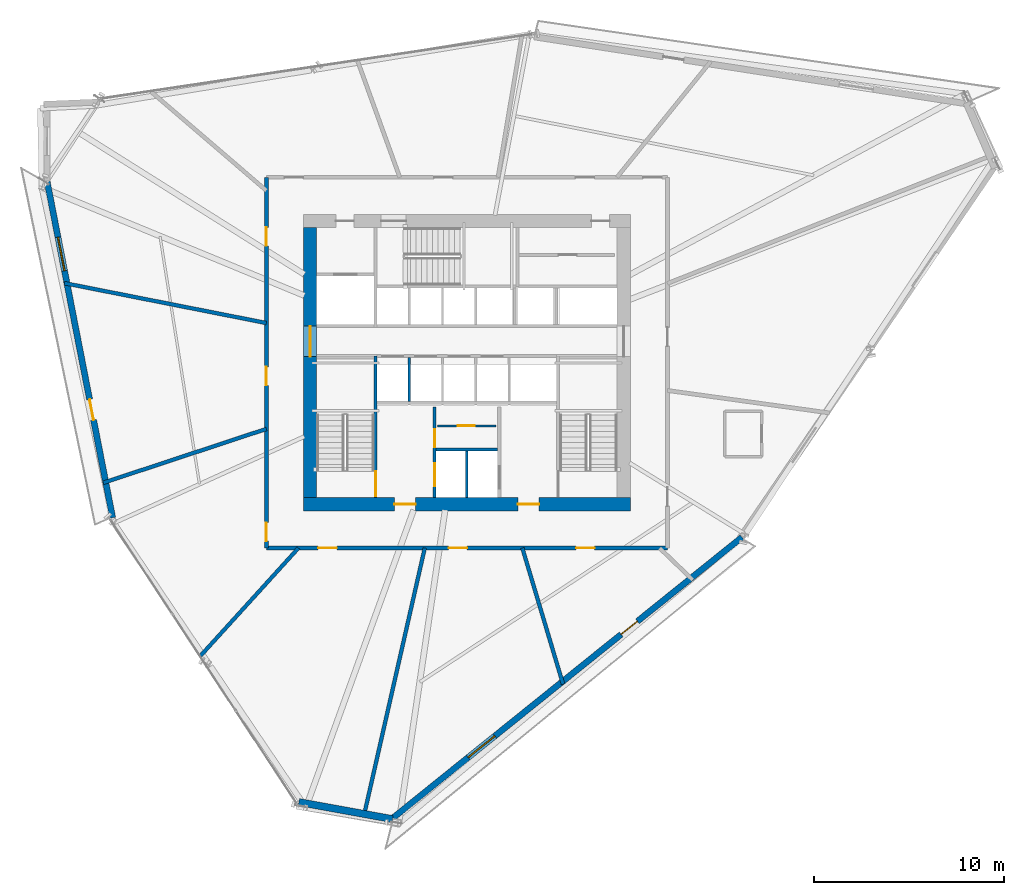
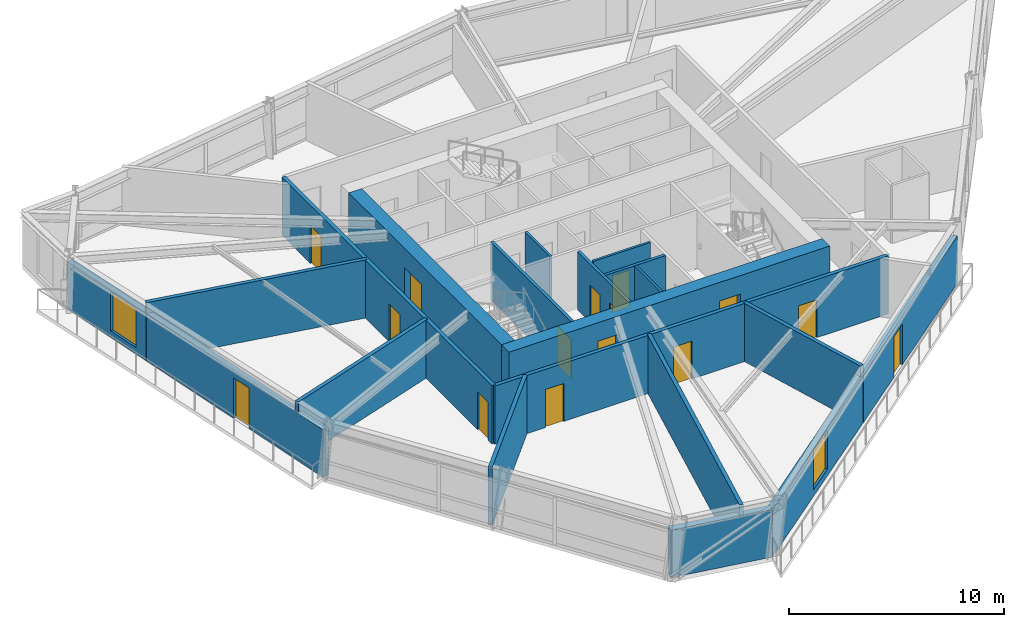
# One storey, part 9 of 14: 18 walls, 15 doors, 2 windows, 17 openings.
"""IFC4 building model written with IfcOpenShell, lengths in metres."""

from ifc_helpers import new_model, si_unit, direction, frame, frame_2d, origin, place, context, subcontext, project, spatial, rectangle, extrude, source, transform, mapped, material, layer, layer_set, type_object, type_shapes, element, fill, save


model = new_model("IFC4")

# Units and contexts
model_context = context("Model", 3, precision=1e-05, world=origin(), true_north=direction((0.0, 1.0)))
body_context = subcontext(model_context, "Body", "Model", "MODEL_VIEW")
ifc_project = project(units=[si_unit("LENGTHUNIT", "METRE"), si_unit("AREAUNIT", "SQUARE_METRE"), si_unit("VOLUMEUNIT", "CUBIC_METRE"), si_unit("PLANEANGLEUNIT", "RADIAN"), si_unit("MASSUNIT", "GRAM", prefix="KILO")], contexts=[model_context])

# Site, building, storey
site_placement = place(None, origin())
site = spatial("IfcSite", under=ifc_project, at=site_placement, CompositionType="ELEMENT")
building_placement = place(site_placement, origin())
building = spatial("IfcBuilding", under=site, at=building_placement, Name="Olszyna Solenne Hotel", CompositionType="ELEMENT")
storey_placement = place(building_placement, frame((0.0, 0.0, 130.550048828125)))
storey = spatial("IfcBuildingStorey", under=building, at=storey_placement, Name="L34", CompositionType="ELEMENT", Elevation=130.550048828125)

# Wall, openings, doors
ifc_material_1 = material(Name="Concrete C60/75", Category="concrete")
ifc_layer_1 = layer(ifc_material_1, 0.699951171875, Name="Concrete C60/75")
ifc_layer_set_1 = layer_set([ifc_layer_1], Name="Concrete C60/75")
wall_type_1 = type_object("IfcWallType", Name="WL-CR700", PredefinedType="SHEAR", material=ifc_layer_set_1)
wall_1_placement = place(storey_placement, frame((46.60009765625, 19.14990234375, 0.0), z_axis=(0.0, 0.0, 1.0), x_axis=(-1.0, 0.0, 0.0)))
wall_1 = element("IfcWall", 1, at=wall_1_placement, inside=storey, type_object=wall_type_1, Name="Core shear wall WL-CR700 CRW-L34-S", PredefinedType="SHEAR", context=body_context, shape_type="SweptSolid", body=[
    extrude(rectangle(XDim=17.2001953125, YDim=0.699951171875, at=frame_2d((8.60009765625, 0.0))), origin(), (0.0, 0.0, 1.0), 3.300048828125),
])
opening_1_placement = place(wall_1_placement, frame((4.800048828125, 0.0, 0.0)))
opening_1 = element("IfcOpeningElement", 2, at=opening_1_placement, cuts=wall_1, Name="Opening FL-L34-1", PredefinedType="OPENING", context=body_context, shape_type="SweptSolid", body=[
    extrude(rectangle(XDim=1.1201171875, YDim=2.25, at=frame_2d((0.56005859375, 1.125))), frame((0.0, 0.35986328125, 0.0), z_axis=(0.0, -1.0, 0.0), x_axis=(1.0, 0.0, 0.0)), (0.0, 0.0, 1.0), 0.719970703125),
])
opening_2_placement = place(wall_1_placement, frame((11.300048828125, 0.0, 0.0)))
opening_2 = element("IfcOpeningElement", 3, at=opening_2_placement, cuts=wall_1, Name="Opening FL-L34-2", PredefinedType="OPENING", context=body_context, shape_type="SweptSolid", body=[
    extrude(rectangle(XDim=1.1201171875, YDim=2.25, at=frame_2d((0.56005859375, 1.125))), frame((0.0, 0.35986328125, 0.0), z_axis=(0.0, -1.0, 0.0), x_axis=(1.0, 0.0, 0.0)), (0.0, 0.0, 1.0), 0.719970703125),
])
ifc_material_2 = material(Name="Steel S355J2", Category="steel")
door_type_1 = type_object("IfcDoorType", Name="DR-FL1", OperationType="NOTDEFINED", PredefinedType="DOOR", material=ifc_material_2)
shared_shape_1 = source(origin(), body_context, "Body", "SweptSolid", [
    extrude(rectangle(XDim=1.1201171875, YDim=2.25, at=frame_2d((0.56005859375, 1.125))), frame((0.0, 0.02490234375, 0.0), z_axis=(0.0, -1.0, 0.0), x_axis=(1.0, 0.0, 0.0)), (0.0, 0.0, 1.0), 0.050048828125),
])
type_shapes(door_type_1, [shared_shape_1])
door_1_placement = place(opening_1_placement, origin())
door_1 = element("IfcDoor", 4, at=door_1_placement, inside=storey, type_object=door_type_1, Name="Firefighting lift lobby smoke door FL-L34-1", OperationType="SINGLE_SWING_LEFT", OverallHeight=2.25, OverallWidth=1.1201171875, PredefinedType="DOOR", context=body_context, shape_type="MappedRepresentation", body=[
    mapped(shared_shape_1, transform((0.0, 0.0, 0.0), x_axis=(1.0, 0.0, 0.0), y_axis=(0.0, 1.0, 0.0), z_axis=(0.0, 0.0, 1.0), scale=1.0)),
])
fill(opening_1, door_1)
door_2_placement = place(opening_2_placement, origin())
door_2 = element("IfcDoor", 5, at=door_2_placement, inside=storey, type_object=door_type_1, Name="Firefighting lift lobby smoke door FL-L34-2", OperationType="SINGLE_SWING_RIGHT", OverallHeight=2.25, OverallWidth=1.1201171875, PredefinedType="DOOR", context=body_context, shape_type="MappedRepresentation", body=[
    mapped(shared_shape_1, transform((0.0, 0.0, 0.0), x_axis=(1.0, 0.0, 0.0), y_axis=(0.0, 1.0, 0.0), z_axis=(0.0, 0.0, 1.0), scale=1.0)),
])
fill(opening_2, door_2)

# Wall, opening, door
wall_2_placement = place(storey_placement, frame((29.75, 19.5, 0.0), z_axis=(0.0, 0.0, 1.0), x_axis=(0.0, 1.0, 0.0)))
wall_2 = element("IfcWall", 6, at=wall_2_placement, inside=storey, type_object=wall_type_1, Name="Core shear wall WL-CR700 CRW-L34-W", PredefinedType="SHEAR", context=body_context, shape_type="SweptSolid", body=[
    extrude(rectangle(XDim=14.199951171875, YDim=0.699951171875, at=frame_2d((7.10009765625, 0.0))), origin(), (0.0, 0.0, 1.0), 3.300048828125),
])
opening_3_placement = place(wall_2_placement, frame((7.419921875, 0.0, 0.0)))
opening_3 = element("IfcOpeningElement", 7, at=opening_3_placement, cuts=wall_2, Name="Opening LHD-L34-W", PredefinedType="OPENING", context=body_context, shape_type="SweptSolid", body=[
    extrude(rectangle(XDim=1.60009765625, YDim=2.199951171875, at=frame_2d((0.800048828125, 1.10009765625))), frame((0.0, 0.35986328125, 0.0), z_axis=(0.0, -1.0, 0.0), x_axis=(1.0, 0.0, 0.0)), (0.0, 0.0, 1.0), 0.719970703125),
])
ifc_material_3 = material(Name="Timber hardwood", Category="wood")
door_type_2 = type_object("IfcDoorType", Name="DR-CR1", OperationType="DOUBLE_DOOR_SINGLE_SWING", PredefinedType="DOOR", material=ifc_material_3)
shared_shape_2 = source(origin(), body_context, "Body", "SweptSolid", [
    extrude(rectangle(XDim=1.60009765625, YDim=2.199951171875, at=frame_2d((0.800048828125, 1.10009765625))), frame((0.0, 0.02490234375, 0.0), z_axis=(0.0, -1.0, 0.0), x_axis=(1.0, 0.0, 0.0)), (0.0, 0.0, 1.0), 0.050048828125),
])
type_shapes(door_type_2, [shared_shape_2])
door_3_placement = place(opening_3_placement, origin())
door_3 = element("IfcDoor", 8, at=door_3_placement, inside=storey, type_object=door_type_2, Name="Passenger lift lobby West fire door LHD-L34-W", OperationType="DOUBLE_DOOR_SINGLE_SWING", OverallHeight=2.199951171875, OverallWidth=1.60009765625, PredefinedType="DOOR", context=body_context, shape_type="MappedRepresentation", body=[
    mapped(shared_shape_2, transform((0.0, 0.0, 0.0), x_axis=(1.0, 0.0, 0.0), y_axis=(0.0, 1.0, 0.0), z_axis=(0.0, 0.0, 1.0), scale=1.0)),
])
fill(opening_3, door_3)

# Wall, openings, door, window
ifc_material_4 = material(Name="Precast concrete C45/55", Category="concrete")
ifc_layer_2 = layer(ifc_material_4, 0.320068359375, Name="Precast concrete C45/55")
ifc_layer_set_2 = layer_set([ifc_layer_2], Name="Precast concrete C45/55")
wall_type_2 = type_object("IfcWallType", Name="WL-EX320", PredefinedType="SOLIDWALL", material=ifc_layer_set_2)
wall_3_placement = place(storey_placement, frame((52.467041015625, 17.415283203125, 0.0), z_axis=(0.0, 0.0, 1.0), x_axis=(-0.779274216226, -0.626683090506, 0.0)))
wall_3 = element("IfcWall", 9, at=wall_3_placement, inside=storey, type_object=wall_type_2, Name="Exterior terracotta-precast frame wall WL-EX320 EW-L34-01", PredefinedType="SOLIDWALL", context=body_context, shape_type="SweptSolid", body=[
    extrude(rectangle(XDim=23.7578125, YDim=0.320068359375, at=frame_2d((11.87890625, 0.0))), origin(), (0.0, 0.0, 1.0), 2.69189453125),
])
opening_4_placement = place(wall_3_placement, frame((7.052978515625, 0.0, 0.0)))
opening_4 = element("IfcOpeningElement", 10, at=opening_4_placement, cuts=wall_3, Name="Opening LDG-L34-3", PredefinedType="OPENING", context=body_context, shape_type="SweptSolid", body=[
    extrude(rectangle(XDim=1.10009765625, YDim=2.300048828125, at=frame_2d((0.550048828125, 1.14990234375))), frame((0.0, 0.169921875, 0.0), z_axis=(0.0, -1.0, 0.0), x_axis=(1.0, 0.0, 0.0)), (0.0, 0.0, 1.0), 0.340087890625),
])
opening_5_placement = place(wall_3_placement, frame((16.680908203125, 0.0, 0.3720703125)))
opening_5 = element("IfcOpeningElement", 11, at=opening_5_placement, cuts=wall_3, Name="Opening WN-L34-196", PredefinedType="OPENING", context=body_context, shape_type="SweptSolid", body=[
    extrude(rectangle(XDim=1.800048828125, YDim=2.199951171875, at=frame_2d((0.89990234375, 1.10009765625))), frame((0.0, 0.169921875, 0.0), z_axis=(0.0, -1.0, 0.0), x_axis=(1.0, 0.0, 0.0)), (0.0, 0.0, 1.0), 0.340087890625),
])
ifc_material_5 = material(Name="Anodised bronze aluminium", Category="aluminium")
door_type_3 = type_object("IfcDoorType", Name="DR-LG1", OperationType="NOTDEFINED", PredefinedType="DOOR", material=ifc_material_5)
shared_shape_3 = source(origin(), body_context, "Body", "SweptSolid", [
    extrude(rectangle(XDim=1.10009765625, YDim=2.300048828125, at=frame_2d((0.550048828125, 1.14990234375))), frame((0.0, 0.02490234375, 0.0), z_axis=(0.0, -1.0, 0.0), x_axis=(1.0, 0.0, 0.0)), (0.0, 0.0, 1.0), 0.050048828125),
])
type_shapes(door_type_3, [shared_shape_3])
door_4_placement = place(opening_4_placement, origin())
door_4 = element("IfcDoor", 12, at=door_4_placement, inside=storey, type_object=door_type_3, Name="Exterior loggia balcony door DR-LG1 LDG-L34-3", OperationType="SINGLE_SWING_RIGHT", OverallHeight=2.300048828125, OverallWidth=1.10009765625, PredefinedType="DOOR", context=body_context, shape_type="MappedRepresentation", body=[
    mapped(shared_shape_3, transform((0.0, 0.0, 0.0), x_axis=(1.0, 0.0, 0.0), y_axis=(0.0, 1.0, 0.0), z_axis=(0.0, 0.0, 1.0), scale=1.0)),
])
fill(opening_4, door_4)
ifc_material_6 = material(Name="Low-E triple glazing", Category="glass")
window_type = type_object("IfcWindowType", Name="WN-HT1", PartitioningType="SINGLE_PANEL", PredefinedType="WINDOW", material=ifc_material_6)
shared_shape_4 = source(origin(), body_context, "Body", "SweptSolid", [
    extrude(rectangle(XDim=1.800048828125, YDim=2.199951171875, at=frame_2d((0.89990234375, 1.10009765625))), frame((0.0, 0.030029296875, 0.0), z_axis=(0.0, -1.0, 0.0), x_axis=(1.0, 0.0, 0.0)), (0.0, 0.0, 1.0), 0.06005859375),
])
type_shapes(window_type, [shared_shape_4])
window_1_placement = place(opening_5_placement, origin())
window_1 = element("IfcWindow", 13, at=window_1_placement, inside=storey, type_object=window_type, Name="Loggia room window WN-HT1 WN-L34-196", OverallHeight=2.199951171875, OverallWidth=1.800048828125, PartitioningType="SINGLE_PANEL", PredefinedType="WINDOW", context=body_context, shape_type="MappedRepresentation", body=[
    mapped(shared_shape_4, transform((0.0, 0.0, 0.0), x_axis=(1.0, 0.0, 0.0), y_axis=(0.0, 1.0, 0.0), z_axis=(0.0, 0.0, 1.0), scale=1.0)),
])
fill(opening_5, window_1)

wall_4_placement = place(storey_placement, frame((19.36328125, 18.4443359375, 0.0), z_axis=(0.0, 0.0, 1.0), x_axis=(-0.191260679824, 0.98153927703, 0.0)))
wall_4 = element("IfcWall", 14, at=wall_4_placement, inside=storey, type_object=wall_type_2, Name="Exterior terracotta-precast frame wall WL-EX320 EW-L34-04", PredefinedType="SOLIDWALL", context=body_context, shape_type="SweptSolid", body=[
    extrude(rectangle(XDim=18.081298828125, YDim=0.320068359375, at=frame_2d((9.04052734375, 0.0))), origin(), (0.0, 0.0, 1.0), 2.69189453125),
])
opening_6_placement = place(wall_4_placement, frame((5.236083984375, 0.0, 0.0)))
opening_6 = element("IfcOpeningElement", 15, at=opening_6_placement, cuts=wall_4, Name="Opening LDG-L34-2", PredefinedType="OPENING", context=body_context, shape_type="SweptSolid", body=[
    extrude(rectangle(XDim=1.10009765625, YDim=2.300048828125, at=frame_2d((0.550048828125, 1.14990234375))), frame((0.0, 0.169921875, 0.0), z_axis=(0.0, -1.0, 0.0), x_axis=(1.0, 0.0, 0.0)), (0.0, 0.0, 1.0), 0.340087890625),
])
opening_7_placement = place(wall_4_placement, frame((13.22998046875, 0.0, 0.3720703125)))
opening_7 = element("IfcOpeningElement", 16, at=opening_7_placement, cuts=wall_4, Name="Opening WN-L34-197", PredefinedType="OPENING", context=body_context, shape_type="SweptSolid", body=[
    extrude(rectangle(XDim=1.800048828125, YDim=2.199951171875, at=frame_2d((0.89990234375, 1.10009765625))), frame((0.0, 0.169921875, 0.0), z_axis=(0.0, -1.0, 0.0), x_axis=(1.0, 0.0, 0.0)), (0.0, 0.0, 1.0), 0.340087890625),
])
door_5_placement = place(opening_6_placement, origin())
door_5 = element("IfcDoor", 17, at=door_5_placement, inside=storey, type_object=door_type_3, Name="Exterior loggia balcony door DR-LG1 LDG-L34-2", OperationType="SINGLE_SWING_LEFT", OverallHeight=2.300048828125, OverallWidth=1.10009765625, PredefinedType="DOOR", context=body_context, shape_type="MappedRepresentation", body=[
    mapped(shared_shape_3, transform((0.0, 0.0, 0.0), x_axis=(1.0, 0.0, 0.0), y_axis=(0.0, 1.0, 0.0), z_axis=(0.0, 0.0, 1.0), scale=1.0)),
])
fill(opening_6, door_5)
window_2_placement = place(opening_7_placement, origin())
window_2 = element("IfcWindow", 18, at=window_2_placement, inside=storey, type_object=window_type, Name="Loggia room window WN-HT1 WN-L34-197", OverallHeight=2.199951171875, OverallWidth=1.800048828125, PartitioningType="SINGLE_PANEL", PredefinedType="WINDOW", context=body_context, shape_type="MappedRepresentation", body=[
    mapped(shared_shape_4, transform((0.0, 0.0, 0.0), x_axis=(1.0, 0.0, 0.0), y_axis=(0.0, 1.0, 0.0), z_axis=(0.0, 0.0, 1.0), scale=1.0)),
])
fill(opening_7, window_2)

# Walls
ifc_material_7 = material(Name="Terracotta cladding on precast concrete C45/55", Category="masonry")
ifc_layer_3 = layer(ifc_material_7, 0.3798828125, Name="Terracotta cladding on precast concrete C45/55")
ifc_layer_set_3 = layer_set([ifc_layer_3], Name="Terracotta cladding on precast concrete C45/55")
wall_type_3 = type_object("IfcWallType", Name="WL-EX380", PredefinedType="SOLIDWALL", material=ifc_layer_set_3)
wall_5_placement = place(storey_placement, frame((34.08740234375, 2.5888671875, 0.0), z_axis=(0.0, 0.0, 1.0), x_axis=(-0.983886288639, 0.178795332793, 0.0)))
element("IfcWall", 19, at=wall_5_placement, inside=storey, type_object=wall_type_3, Name="Exterior terracotta-precast frame wall WL-EX380 EW-L34-02", PredefinedType="SOLIDWALL", context=body_context, shape_type="SweptSolid", body=[
    extrude(rectangle(XDim=5.007080078125, YDim=0.3798828125, at=frame_2d((2.50341796875, 0.0))), origin(), (0.0, 0.0, 1.0), 2.69189453125),
])
ifc_material_8 = material(Name="Acoustic gypsum partition", Category="gypsum")
ifc_layer_4 = layer(ifc_material_8, 0.125, Name="Acoustic gypsum partition")
ifc_layer_set_4 = layer_set([ifc_layer_4], Name="Acoustic gypsum partition")
wall_type_4 = type_object("IfcWallType", Name="WL-PT125", PredefinedType="PARTITIONING", material=ifc_layer_set_4)
wall_6_placement = place(storey_placement, frame((38.0, 19.5, 0.0), z_axis=(0.0, 0.0, 1.0), x_axis=(0.0, 1.0, 0.0)))
element("IfcWall", 20, at=wall_6_placement, inside=storey, type_object=wall_type_4, Name="Core shaft compartment wall CW-L34-FFM", PredefinedType="PARTITIONING", context=body_context, shape_type="SweptSolid", body=[
    extrude(rectangle(XDim=2.4599609375, YDim=0.125, at=frame_2d((1.22998046875, 0.0))), origin(), (0.0, 0.0, 1.0), 3.300048828125),
])

# Wall, opening, door
wall_7_placement = place(storey_placement, frame((36.4599609375, 23.27001953125, 0.0), z_axis=(0.0, 0.0, 1.0), x_axis=(1.0, 0.0, 0.0)))
wall_7 = element("IfcWall", 21, at=wall_7_placement, inside=storey, type_object=wall_type_4, Name="Core shaft compartment wall CW-L34-SC2", PredefinedType="PARTITIONING", context=body_context, shape_type="SweptSolid", body=[
    extrude(rectangle(XDim=3.080078125, YDim=0.125, at=frame_2d((1.5400390625, 0.0))), origin(), (0.0, 0.0, 1.0), 3.300048828125),
])
opening_8_placement = place(wall_7_placement, frame((1.050048828125, 0.0, 0.0)))
opening_8 = element("IfcOpeningElement", 22, at=opening_8_placement, cuts=wall_7, Name="Opening SVD-L34-SC2", PredefinedType="OPENING", context=body_context, shape_type="SweptSolid", body=[
    extrude(rectangle(XDim=0.89990234375, YDim=2.10009765625, at=frame_2d((0.449951171875, 1.050048828125))), frame((0.0, 0.072509765625, 0.0), z_axis=(0.0, -1.0, 0.0), x_axis=(1.0, 0.0, 0.0)), (0.0, 0.0, 1.0), 0.14501953125),
])
door_type_4 = type_object("IfcDoorType", Name="DR-WC1", OperationType="NOTDEFINED", PredefinedType="DOOR", material=ifc_material_3)
shared_shape_5 = source(origin(), body_context, "Body", "SweptSolid", [
    extrude(rectangle(XDim=0.89990234375, YDim=2.10009765625, at=frame_2d((0.449951171875, 1.050048828125))), frame((0.0, 0.02490234375, 0.0), z_axis=(0.0, -1.0, 0.0), x_axis=(1.0, 0.0, 0.0)), (0.0, 0.0, 1.0), 0.050048828125),
])
type_shapes(door_type_4, [shared_shape_5])
door_6_placement = place(opening_8_placement, origin())
door_6 = element("IfcDoor", 23, at=door_6_placement, inside=storey, type_object=door_type_4, Name="Butler pantry door SVD-L34-SC2", OperationType="SINGLE_SWING_RIGHT", OverallHeight=2.10009765625, OverallWidth=0.89990234375, PredefinedType="DOOR", context=body_context, shape_type="MappedRepresentation", body=[
    mapped(shared_shape_5, transform((0.0, 0.0, 0.0), x_axis=(1.0, 0.0, 0.0), y_axis=(0.0, 1.0, 0.0), z_axis=(0.0, 0.0, 1.0), scale=1.0)),
])
fill(opening_8, door_6)

# Wall
wall_8_placement = place(storey_placement, frame((34.965087890625, 24.56005859375, 0.0), z_axis=(0.0, 0.0, 1.0), x_axis=(0.0, 1.0, 0.0)))
element("IfcWall", 24, at=wall_8_placement, inside=storey, type_object=wall_type_4, Name="Core shaft compartment wall CW-L34-DIVS349", PredefinedType="PARTITIONING", context=body_context, shape_type="SweptSolid", body=[
    extrude(rectangle(XDim=2.31005859375, YDim=0.125, at=frame_2d((1.155029296875, 0.0))), origin(), (0.0, 0.0, 1.0), 3.300048828125),
])

# Wall, opening, door
ifc_layer_5 = layer(ifc_material_8, 0.159912109375, Name="Acoustic gypsum partition")
ifc_layer_set_5 = layer_set([ifc_layer_5], Name="Acoustic gypsum partition")
wall_type_5 = type_object("IfcWallType", Name="WL-PT160", PredefinedType="PARTITIONING", material=ifc_layer_set_5)
wall_9_placement = place(storey_placement, frame((33.199951171875, 19.5, 0.0), z_axis=(0.0, 0.0, 1.0), x_axis=(0.0, 1.0, 0.0)))
wall_9 = element("IfcWall", 25, at=wall_9_placement, inside=storey, type_object=wall_type_5, Name="Core shaft compartment wall CW-L34-ST1E", PredefinedType="PARTITIONING", context=body_context, shape_type="SweptSolid", body=[
    extrude(rectangle(XDim=7.4599609375, YDim=0.159912109375, at=frame_2d((3.72998046875, 0.0))), origin(), (0.0, 0.0, 1.0), 3.300048828125),
])
opening_9_placement = place(wall_9_placement, frame((0.080078125, 0.0, 0.0)))
opening_9 = element("IfcOpeningElement", 26, at=opening_9_placement, cuts=wall_9, Name="Opening STD-L34-01", PredefinedType="OPENING", context=body_context, shape_type="SweptSolid", body=[
    extrude(rectangle(XDim=1.320068359375, YDim=2.199951171875, at=frame_2d((0.66015625, 1.10009765625))), frame((0.0, 0.08984375, 0.0), z_axis=(0.0, -1.0, 0.0), x_axis=(1.0, 0.0, 0.0)), (0.0, 0.0, 1.0), 0.179931640625),
])
door_type_5 = type_object("IfcDoorType", Name="DR-ST1", OperationType="NOTDEFINED", PredefinedType="DOOR", material=ifc_material_2)
shared_shape_6 = source(origin(), body_context, "Body", "SweptSolid", [
    extrude(rectangle(XDim=1.320068359375, YDim=2.199951171875, at=frame_2d((0.66015625, 1.10009765625))), frame((0.0, 0.02490234375, 0.0), z_axis=(0.0, -1.0, 0.0), x_axis=(1.0, 0.0, 0.0)), (0.0, 0.0, 1.0), 0.050048828125),
])
type_shapes(door_type_5, [shared_shape_6])
door_7_placement = place(opening_9_placement, origin())
door_7 = element("IfcDoor", 27, at=door_7_placement, inside=storey, type_object=door_type_5, Name="Pressurised exit stair ST1 fire door STD-L34-01", OperationType="SINGLE_SWING_LEFT", OverallHeight=2.199951171875, OverallWidth=1.320068359375, PredefinedType="DOOR", context=body_context, shape_type="MappedRepresentation", body=[
    mapped(shared_shape_6, transform((0.0, 0.0, 0.0), x_axis=(1.0, 0.0, 0.0), y_axis=(0.0, 1.0, 0.0), z_axis=(0.0, 0.0, 1.0), scale=1.0)),
])
fill(opening_9, door_7)

# Wall, openings, doors
wall_10_placement = place(storey_placement, frame((36.300048828125, 19.5, 0.0), z_axis=(0.0, 0.0, 1.0), x_axis=(0.0, 1.0, 0.0)))
wall_10 = element("IfcWall", 28, at=wall_10_placement, inside=storey, type_object=wall_type_5, Name="Core shaft compartment wall CW-L34-FF1W", PredefinedType="PARTITIONING", context=body_context, shape_type="SweptSolid", body=[
    extrude(rectangle(XDim=4.780029296875, YDim=0.159912109375, at=frame_2d((2.39013671875, 0.0))), origin(), (0.0, 0.0, 1.0), 3.300048828125),
])
opening_10_placement = place(wall_10_placement, frame((0.60009765625, 0.0, 0.0)))
opening_10 = element("IfcOpeningElement", 29, at=opening_10_placement, cuts=wall_10, Name="Opening LD-L34-FF1", PredefinedType="OPENING", context=body_context, shape_type="SweptSolid", body=[
    extrude(rectangle(XDim=1.199951171875, YDim=2.199951171875, at=frame_2d((0.60009765625, 1.10009765625))), frame((0.0, 0.08984375, 0.0), z_axis=(0.0, -1.0, 0.0), x_axis=(1.0, 0.0, 0.0)), (0.0, 0.0, 1.0), 0.179931640625),
])
opening_11_placement = place(wall_10_placement, frame((2.64990234375, 0.0, 0.0)))
opening_11 = element("IfcOpeningElement", 30, at=opening_11_placement, cuts=wall_10, Name="Opening SVD-L34-SMK", PredefinedType="OPENING", context=body_context, shape_type="SweptSolid", body=[
    extrude(rectangle(XDim=0.949951171875, YDim=2.10009765625, at=frame_2d((0.47509765625, 1.050048828125))), frame((0.0, 0.08984375, 0.0), z_axis=(0.0, -1.0, 0.0), x_axis=(1.0, 0.0, 0.0)), (0.0, 0.0, 1.0), 0.179931640625),
])
door_type_6 = type_object("IfcDoorType", Name="DR-SV1", OperationType="NOTDEFINED", PredefinedType="DOOR", material=ifc_material_2)
shared_shape_7 = source(origin(), body_context, "Body", "SweptSolid", [
    extrude(rectangle(XDim=0.949951171875, YDim=2.10009765625, at=frame_2d((0.47509765625, 1.050048828125))), frame((0.0, 0.02490234375, 0.0), z_axis=(0.0, -1.0, 0.0), x_axis=(1.0, 0.0, 0.0)), (0.0, 0.0, 1.0), 0.050048828125),
])
type_shapes(door_type_6, [shared_shape_7])
door_8_placement = place(opening_11_placement, origin())
door_8 = element("IfcDoor", 31, at=door_8_placement, inside=storey, type_object=door_type_6, Name="Valet and core service room door SVD-L34-SMK", OperationType="SINGLE_SWING_LEFT", OverallHeight=2.10009765625, OverallWidth=0.949951171875, PredefinedType="DOOR", context=body_context, shape_type="MappedRepresentation", body=[
    mapped(shared_shape_7, transform((0.0, 0.0, 0.0), x_axis=(1.0, 0.0, 0.0), y_axis=(0.0, 1.0, 0.0), z_axis=(0.0, 0.0, 1.0), scale=1.0)),
])
fill(opening_11, door_8)
door_type_7 = type_object("IfcDoorType", Name="LD-FF1", OperationType="DOUBLE_DOOR_SLIDING", PredefinedType="DOOR", material=ifc_material_2)
shared_shape_8 = source(origin(), body_context, "Body", "SweptSolid", [
    extrude(rectangle(XDim=1.199951171875, YDim=2.199951171875, at=frame_2d((0.60009765625, 1.10009765625))), frame((0.0, 0.02490234375, 0.0), z_axis=(0.0, -1.0, 0.0), x_axis=(1.0, 0.0, 0.0)), (0.0, 0.0, 1.0), 0.050048828125),
])
type_shapes(door_type_7, [shared_shape_8])
door_9_placement = place(opening_10_placement, origin())
door_9 = element("IfcDoor", 32, at=door_9_placement, inside=storey, type_object=door_type_7, Name="Firefighters lift FF1 sliding landing door LD-L34-FF1", OperationType="DOUBLE_DOOR_SLIDING", OverallHeight=2.199951171875, OverallWidth=1.199951171875, PredefinedType="DOOR", context=body_context, shape_type="MappedRepresentation", body=[
    mapped(shared_shape_8, transform((0.0, 0.0, 0.0), x_axis=(1.0, 0.0, 0.0), y_axis=(0.0, 1.0, 0.0), z_axis=(0.0, 0.0, 1.0), scale=1.0)),
])
fill(opening_10, door_9)

# Walls
wall_11_placement = place(storey_placement, frame((36.3798828125, 22.02001953125, 0.0), z_axis=(0.0, 0.0, 1.0), x_axis=(1.0, 0.0, 0.0)))
element("IfcWall", 33, at=wall_11_placement, inside=storey, type_object=wall_type_5, Name="Core shaft compartment wall CW-L34-FFN", PredefinedType="PARTITIONING", context=body_context, shape_type="SweptSolid", body=[
    extrude(rectangle(XDim=3.240234375, YDim=0.159912109375, at=frame_2d((1.6201171875, 0.0))), origin(), (0.0, 0.0, 1.0), 3.300048828125),
])
ifc_layer_6 = layer(ifc_material_8, 0.199951171875, Name="Acoustic gypsum partition")
ifc_layer_set_6 = layer_set([ifc_layer_6], Name="Acoustic gypsum partition")
wall_type_6 = type_object("IfcWallType", Name="WL-PT200", PredefinedType="PARTITIONING", material=ifc_layer_set_6)
wall_12_placement = place(storey_placement, frame((27.449951171875, 28.68359375, 0.0), z_axis=(0.0, 0.0, 1.0), x_axis=(-0.981043583448, 0.19378722191, 0.0)))
element("IfcWall", 34, at=wall_12_placement, inside=storey, type_object=wall_type_6, Name="Interior acoustic partition WL-PT200 PW-L34-1967", PredefinedType="PARTITIONING", context=body_context, shape_type="SweptSolid", body=[
    extrude(rectangle(XDim=10.828369140625, YDim=0.199951171875, at=frame_2d((5.4140625, 0.0))), origin(), (0.0, 0.0, 1.0), 3.300048828125),
])
wall_13_placement = place(storey_placement, frame((27.449951171875, 23.114501953125, 0.0), z_axis=(0.0, 0.0, 1.0), x_axis=(-0.949525884305, -0.313688691277, 0.0)))
element("IfcWall", 35, at=wall_13_placement, inside=storey, type_object=wall_type_6, Name="Interior acoustic partition WL-PT200 PW-L34-1968", PredefinedType="PARTITIONING", context=body_context, shape_type="SweptSolid", body=[
    extrude(rectangle(XDim=9.03271484375, YDim=0.199951171875, at=frame_2d((4.516357421875, 0.0))), origin(), (0.0, 0.0, 1.0), 3.300048828125),
])
wall_14_placement = place(storey_placement, frame((29.139404296875, 16.85009765625, 0.0), z_axis=(0.0, 0.0, 1.0), x_axis=(-0.672544271628, -0.74005689153, 0.0)))
element("IfcWall", 36, at=wall_14_placement, inside=storey, type_object=wall_type_6, Name="Interior acoustic partition WL-PT200 PW-L34-1969", PredefinedType="PARTITIONING", context=body_context, shape_type="SweptSolid", body=[
    extrude(rectangle(XDim=7.6591796875, YDim=0.199951171875, at=frame_2d((3.82958984375, 0.0))), origin(), (0.0, 0.0, 1.0), 3.300048828125),
])
wall_15_placement = place(storey_placement, frame((35.783203125, 16.85009765625, 0.0), z_axis=(0.0, 0.0, 1.0), x_axis=(-0.221701107418, -0.975114669652, 0.0)))
element("IfcWall", 37, at=wall_15_placement, inside=storey, type_object=wall_type_6, Name="Interior acoustic partition WL-PT200 PW-L34-1970", PredefinedType="PARTITIONING", context=body_context, shape_type="SweptSolid", body=[
    extrude(rectangle(XDim=14.508544921875, YDim=0.199951171875, at=frame_2d((7.25439453125, 0.0))), origin(), (0.0, 0.0, 1.0), 3.300048828125),
])
wall_16_placement = place(storey_placement, frame((40.9150390625, 16.85009765625, 0.0), z_axis=(0.0, 0.0, 1.0), x_axis=(0.286440656608, -0.958097985721, 0.0)))
element("IfcWall", 38, at=wall_16_placement, inside=storey, type_object=wall_type_6, Name="Interior acoustic partition WL-PT200 PW-L34-1971", PredefinedType="PARTITIONING", context=body_context, shape_type="SweptSolid", body=[
    extrude(rectangle(XDim=7.481689453125, YDim=0.199951171875, at=frame_2d((3.74072265625, 0.0))), origin(), (0.0, 0.0, 1.0), 3.300048828125),
])

# Wall, openings, doors
wall_17_placement = place(storey_placement, frame((27.449951171875, 16.85009765625, 0.0), z_axis=(0.0, 0.0, 1.0), x_axis=(1.0, 0.0, 0.0)))
wall_17 = element("IfcWall", 39, at=wall_17_placement, inside=storey, type_object=wall_type_6, Name="Interior acoustic partition WL-PT200 PW-L34-1977", PredefinedType="PARTITIONING", context=body_context, shape_type="SweptSolid", body=[
    extrude(rectangle(XDim=21.10009765625, YDim=0.199951171875, at=frame_2d((10.550048828125, 0.0))), origin(), (0.0, 0.0, 1.0), 3.300048828125),
])
opening_12_placement = place(wall_17_placement, frame((2.72412109375, 0.0, 0.0)))
opening_12 = element("IfcOpeningElement", 40, at=opening_12_placement, cuts=wall_17, Name="Opening DR-L34-0474", PredefinedType="OPENING", context=body_context, shape_type="SweptSolid", body=[
    extrude(rectangle(XDim=0.97998046875, YDim=2.14990234375, at=frame_2d((0.489990234375, 1.074951171875))), frame((0.0, 0.10986328125, 0.0), z_axis=(0.0, -1.0, 0.0), x_axis=(1.0, 0.0, 0.0)), (0.0, 0.0, 1.0), 0.219970703125),
])
opening_13_placement = place(wall_17_placement, frame((9.5810546875, 0.0, 0.0)))
opening_13 = element("IfcOpeningElement", 41, at=opening_13_placement, cuts=wall_17, Name="Opening DR-L34-0475", PredefinedType="OPENING", context=body_context, shape_type="SweptSolid", body=[
    extrude(rectangle(XDim=0.97998046875, YDim=2.14990234375, at=frame_2d((0.489990234375, 1.074951171875))), frame((0.0, 0.10986328125, 0.0), z_axis=(0.0, -1.0, 0.0), x_axis=(1.0, 0.0, 0.0)), (0.0, 0.0, 1.0), 0.219970703125),
])
opening_14_placement = place(wall_17_placement, frame((16.29296875, 0.0, 0.0)))
opening_14 = element("IfcOpeningElement", 42, at=opening_14_placement, cuts=wall_17, Name="Opening DR-L34-0476", PredefinedType="OPENING", context=body_context, shape_type="SweptSolid", body=[
    extrude(rectangle(XDim=0.97998046875, YDim=2.14990234375, at=frame_2d((0.489990234375, 1.074951171875))), frame((0.0, 0.10986328125, 0.0), z_axis=(0.0, -1.0, 0.0), x_axis=(1.0, 0.0, 0.0)), (0.0, 0.0, 1.0), 0.219970703125),
])
door_type_8 = type_object("IfcDoorType", Name="DR-RM1", OperationType="NOTDEFINED", PredefinedType="DOOR", material=ifc_material_3)
shared_shape_9 = source(origin(), body_context, "Body", "SweptSolid", [
    extrude(rectangle(XDim=0.97998046875, YDim=2.14990234375, at=frame_2d((0.489990234375, 1.074951171875))), frame((0.0, 0.02490234375, 0.0), z_axis=(0.0, -1.0, 0.0), x_axis=(1.0, 0.0, 0.0)), (0.0, 0.0, 1.0), 0.050048828125),
])
type_shapes(door_type_8, [shared_shape_9])
door_10_placement = place(opening_12_placement, origin())
door_10 = element("IfcDoor", 43, at=door_10_placement, inside=storey, type_object=door_type_8, Name="Private Business Office Entrance Door DR-L34-0474", OperationType="SINGLE_SWING_LEFT", OverallHeight=2.14990234375, OverallWidth=0.97998046875, PredefinedType="DOOR", context=body_context, shape_type="MappedRepresentation", body=[
    mapped(shared_shape_9, transform((0.0, 0.0, 0.0), x_axis=(1.0, 0.0, 0.0), y_axis=(0.0, 1.0, 0.0), z_axis=(0.0, 0.0, 1.0), scale=1.0)),
])
fill(opening_12, door_10)
door_11_placement = place(opening_13_placement, origin())
door_11 = element("IfcDoor", 44, at=door_11_placement, inside=storey, type_object=door_type_8, Name="Private Business Office Entrance Door DR-L34-0475", OperationType="SINGLE_SWING_RIGHT", OverallHeight=2.14990234375, OverallWidth=0.97998046875, PredefinedType="DOOR", context=body_context, shape_type="MappedRepresentation", body=[
    mapped(shared_shape_9, transform((0.0, 0.0, 0.0), x_axis=(1.0, 0.0, 0.0), y_axis=(0.0, 1.0, 0.0), z_axis=(0.0, 0.0, 1.0), scale=1.0)),
])
fill(opening_13, door_11)
door_12_placement = place(opening_14_placement, origin())
door_12 = element("IfcDoor", 45, at=door_12_placement, inside=storey, type_object=door_type_8, Name="Private Business Office Entrance Door DR-L34-0476", OperationType="SINGLE_SWING_LEFT", OverallHeight=2.14990234375, OverallWidth=0.97998046875, PredefinedType="DOOR", context=body_context, shape_type="MappedRepresentation", body=[
    mapped(shared_shape_9, transform((0.0, 0.0, 0.0), x_axis=(1.0, 0.0, 0.0), y_axis=(0.0, 1.0, 0.0), z_axis=(0.0, 0.0, 1.0), scale=1.0)),
])
fill(opening_14, door_12)

wall_18_placement = place(storey_placement, frame((27.449951171875, 16.85009765625, 0.0), z_axis=(0.0, 0.0, 1.0), x_axis=(0.0, 1.0, 0.0)))
wall_18 = element("IfcWall", 46, at=wall_18_placement, inside=storey, type_object=wall_type_6, Name="Interior acoustic partition WL-PT200 PW-L34-1978", PredefinedType="PARTITIONING", context=body_context, shape_type="SweptSolid", body=[
    extrude(rectangle(XDim=19.5, YDim=0.199951171875, at=frame_2d((9.75, 0.0))), origin(), (0.0, 0.0, 1.0), 3.300048828125),
])
opening_15_placement = place(wall_18_placement, frame((15.886962890625, 0.0, 0.0)))
opening_15 = element("IfcOpeningElement", 47, at=opening_15_placement, cuts=wall_18, Name="Opening DR-L34-0477", PredefinedType="OPENING", context=body_context, shape_type="SweptSolid", body=[
    extrude(rectangle(XDim=0.97998046875, YDim=2.14990234375, at=frame_2d((0.489990234375, 1.074951171875))), frame((0.0, 0.10986328125, 0.0), z_axis=(0.0, -1.0, 0.0), x_axis=(1.0, 0.0, 0.0)), (0.0, 0.0, 1.0), 0.219970703125),
])
opening_16_placement = place(wall_18_placement, frame((8.552978515625, 0.0, 0.0)))
opening_16 = element("IfcOpeningElement", 48, at=opening_16_placement, cuts=wall_18, Name="Opening DR-L34-0478", PredefinedType="OPENING", context=body_context, shape_type="SweptSolid", body=[
    extrude(rectangle(XDim=0.97998046875, YDim=2.14990234375, at=frame_2d((0.489990234375, 1.074951171875))), frame((0.0, 0.10986328125, 0.0), z_axis=(0.0, -1.0, 0.0), x_axis=(1.0, 0.0, 0.0)), (0.0, 0.0, 1.0), 0.219970703125),
])
opening_17_placement = place(wall_18_placement, frame((0.35693359375, 0.0, 0.0)))
opening_17 = element("IfcOpeningElement", 49, at=opening_17_placement, cuts=wall_18, Name="Opening DR-L34-0479", PredefinedType="OPENING", context=body_context, shape_type="SweptSolid", body=[
    extrude(rectangle(XDim=0.97998046875, YDim=2.14990234375, at=frame_2d((0.489990234375, 1.074951171875))), frame((0.0, 0.10986328125, 0.0), z_axis=(0.0, -1.0, 0.0), x_axis=(1.0, 0.0, 0.0)), (0.0, 0.0, 1.0), 0.219970703125),
])
door_13_placement = place(opening_15_placement, origin())
door_13 = element("IfcDoor", 50, at=door_13_placement, inside=storey, type_object=door_type_8, Name="Private Business Office Entrance Door DR-L34-0477", OperationType="SINGLE_SWING_RIGHT", OverallHeight=2.14990234375, OverallWidth=0.97998046875, PredefinedType="DOOR", context=body_context, shape_type="MappedRepresentation", body=[
    mapped(shared_shape_9, transform((0.0, 0.0, 0.0), x_axis=(1.0, 0.0, 0.0), y_axis=(0.0, 1.0, 0.0), z_axis=(0.0, 0.0, 1.0), scale=1.0)),
])
fill(opening_15, door_13)
door_14_placement = place(opening_16_placement, origin())
door_14 = element("IfcDoor", 51, at=door_14_placement, inside=storey, type_object=door_type_8, Name="Private Business Office Entrance Door DR-L34-0478", OperationType="SINGLE_SWING_LEFT", OverallHeight=2.14990234375, OverallWidth=0.97998046875, PredefinedType="DOOR", context=body_context, shape_type="MappedRepresentation", body=[
    mapped(shared_shape_9, transform((0.0, 0.0, 0.0), x_axis=(1.0, 0.0, 0.0), y_axis=(0.0, 1.0, 0.0), z_axis=(0.0, 0.0, 1.0), scale=1.0)),
])
fill(opening_16, door_14)
door_15_placement = place(opening_17_placement, origin())
door_15 = element("IfcDoor", 52, at=door_15_placement, inside=storey, type_object=door_type_8, Name="Private Business Office Entrance Door DR-L34-0479", OperationType="SINGLE_SWING_RIGHT", OverallHeight=2.14990234375, OverallWidth=0.97998046875, PredefinedType="DOOR", context=body_context, shape_type="MappedRepresentation", body=[
    mapped(shared_shape_9, transform((0.0, 0.0, 0.0), x_axis=(1.0, 0.0, 0.0), y_axis=(0.0, 1.0, 0.0), z_axis=(0.0, 0.0, 1.0), scale=1.0)),
])
fill(opening_17, door_15)

save(model, "model.ifc")
